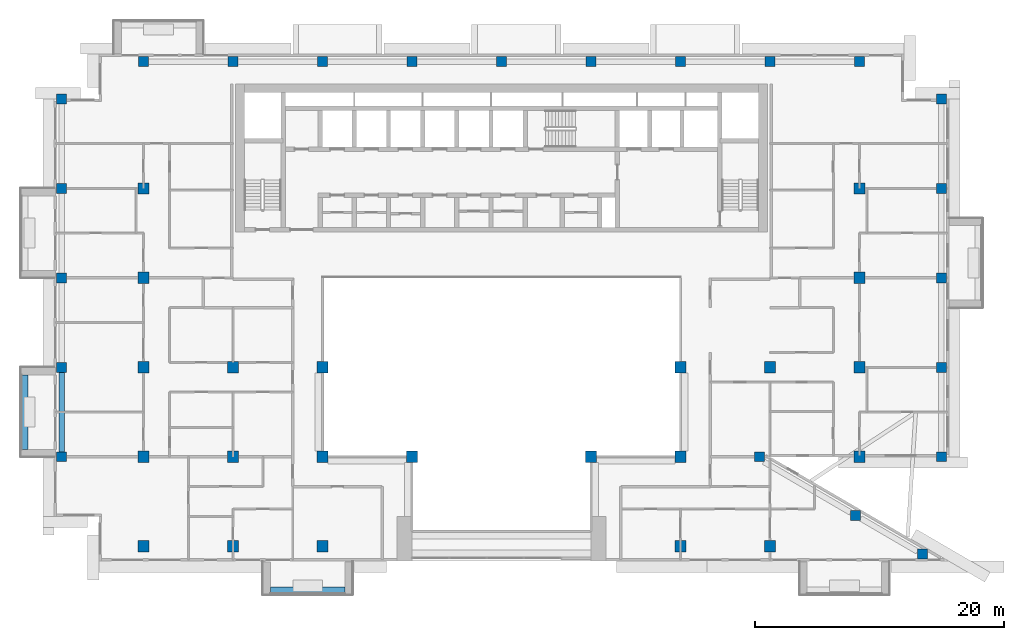
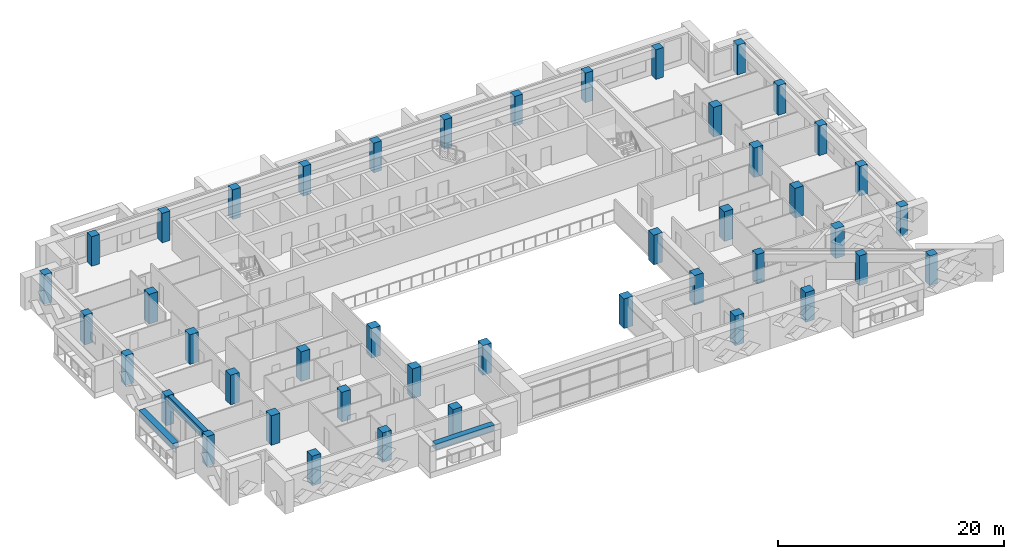
# One storey, part 1 of 20: 44 columns, 3 beams.
"""IFC4 building model written with IfcOpenShell, lengths in metres."""

from ifc_helpers import new_model, si_unit, direction, frame, origin, origin_2d, place, context, subcontext, project, spatial, rectangle, extrude, source, transform, mapped, material, material_profile, profile_set, type_object, element, save


model = new_model("IFC4")

# Units and contexts
model_context = context("Model", 3, precision=1e-05, world=origin(), true_north=direction((0.0, 1.0)))
body_context = subcontext(model_context, "Body", "Model", "MODEL_VIEW")
ifc_project = project(units=[si_unit("LENGTHUNIT", "METRE"), si_unit("AREAUNIT", "SQUARE_METRE"), si_unit("VOLUMEUNIT", "CUBIC_METRE"), si_unit("PLANEANGLEUNIT", "RADIAN"), si_unit("MASSUNIT", "GRAM", prefix="KILO")], contexts=[model_context])

# Site, building, storey
site_placement = place(None, origin())
site = spatial("IfcSite", under=ifc_project, at=site_placement, CompositionType="ELEMENT")
building_placement = place(site_placement, origin())
building = spatial("IfcBuilding", under=site, at=building_placement, Name="Saffron Iwan Residences", CompositionType="ELEMENT")
storey_placement = place(building_placement, frame((0.0, 0.0, 195.5)))
storey = spatial("IfcBuildingStorey", under=building, at=storey_placement, Name="L52", CompositionType="ELEMENT", Elevation=195.5)

# Columns
ifc_material_1 = material(Name="Concrete C50/60", Category="concrete")
ifc_material_profile_1 = material_profile(ifc_material_1, rectangle(XDim=0.89990234375, YDim=0.89990234375, at=origin_2d()), Name="RC 900x900")
ifc_profile_set_1 = profile_set([ifc_material_profile_1], Name="Concrete C50/60")
column_type_1 = type_object("IfcColumnType", Name="COL RC 900x900 C50/60 3200 HIGH", PredefinedType="COLUMN", material=ifc_profile_set_1)
shared_shape_1 = source(origin(), body_context, "Body", "SweptSolid", [
    extrude(rectangle(XDim=0.89990234375, YDim=0.89990234375, at=origin_2d()), origin(), (0.0, 0.0, 1.0), 3.199951171875),
])
for number, where, z_axis, x_axis, name in (
    (1, (21.60009765625, 40.800048828125, 0.0), (0.0, 0.0, 1.0), (1.0, 0.0, 0.0), "Column C049"),
    (2, (28.800048828125, 40.800048828125, 0.0), (0.0, 0.0, 1.0), (1.0, 0.0, 0.0), "Column C051"),
    (3, (36.0, 40.800048828125, 0.0), (0.0, 0.0, 1.0), (1.0, 0.0, 0.0), "Column C052"),
    (4, (64.800048828125, 40.800048828125, 0.0), (0.0, 0.0, 1.0), (1.0, 0.0, 0.0), "Column C055"),
    (5, (72.0, 40.800048828125, 0.0), (0.0, 0.0, 1.0), (1.0, 0.0, 0.0), "Column C056"),
    (6, (21.60009765625, 48.0, 0.0), (0.0, 0.0, 1.0), (1.0, 0.0, 0.0), "Column C063"),
    (7, (28.800048828125, 48.0, 0.0), (0.0, 0.0, 1.0), (1.0, 0.0, 0.0), "Column C064"),
    (8, (36.0, 48.0, 0.0), (0.0, 0.0, 1.0), (1.0, 0.0, 0.0), "Column C065"),
    (9, (43.199951171875, 48.0, 0.0), (0.0, 0.0, 1.0), (1.0, 0.0, 0.0), "Column C066"),
    (10, (57.60009765625, 48.0, 0.0), (0.0, 0.0, 1.0), (1.0, 0.0, 0.0), "Column C068"),
    (11, (64.800048828125, 48.0, 0.0), (0.0, 0.0, 1.0), (1.0, 0.0, 0.0), "Column C069"),
    (12, (79.199951171875, 48.0, 0.0), (0.0, 0.0, 1.0), (1.0, 0.0, 0.0), "Column C072"),
    (13, (21.60009765625, 55.199951171875, 0.0), (0.0, 0.0, 1.0), (1.0, 0.0, 0.0), "Column C079"),
    (14, (28.800048828125, 55.199951171875, 0.0), (0.0, 0.0, 1.0), (1.0, 0.0, 0.0), "Column C080"),
    (15, (36.0, 55.199951171875, 0.0), (0.0, 0.0, 1.0), (1.0, 0.0, 0.0), "Column C081"),
    (16, (64.800048828125, 55.199951171875, 0.0), (0.0, 0.0, 1.0), (1.0, 0.0, 0.0), "Column C082"),
    (17, (72.0, 55.199951171875, 0.0), (0.0, 0.0, 1.0), (1.0, 0.0, 0.0), "Column C083"),
    (18, (79.199951171875, 55.199951171875, 0.0), (0.0, 0.0, 1.0), (1.0, 0.0, 0.0), "Column C084"),
    (19, (21.60009765625, 62.39990234375, 0.0), (0.0, 0.0, 1.0), (1.0, 0.0, 0.0), "Column C091"),
    (20, (79.199951171875, 62.39990234375, 0.0), (0.0, 0.0, 1.0), (1.0, 0.0, 0.0), "Column C092"),
    (21, (21.60009765625, 69.60009765625, 0.0), (0.0, 0.0, 1.0), (1.0, 0.0, 0.0), "Column C099"),
    (22, (79.199951171875, 69.60009765625, 0.0), (0.0, 0.0, 1.0), (1.0, 0.0, 0.0), "Column C100"),
):
    element("IfcColumn", number, at=place(storey_placement, frame(where, z_axis=z_axis, x_axis=x_axis)), inside=storey, type_object=column_type_1, Name=name, PredefinedType="COLUMN", context=body_context, shape_type="MappedRepresentation", body=[
        mapped(shared_shape_1, transform((0.0, 0.0, 0.0))),
    ])
ifc_material_profile_2 = material_profile(ifc_material_1, rectangle(XDim=0.800048828125, YDim=0.800048828125, at=origin_2d()), Name="RC 800x800")
ifc_profile_set_2 = profile_set([ifc_material_profile_2], Name="Concrete C50/60")
column_type_2 = type_object("IfcColumnType", Name="COL RC 800x800 C50/60 3200 HIGH", PredefinedType="COLUMN", material=ifc_profile_set_2)
shared_shape_2 = source(origin(), body_context, "Body", "SweptSolid", [
    extrude(rectangle(XDim=0.800048828125, YDim=0.800048828125, at=origin_2d()), origin(), (0.0, 0.0, 1.0), 3.199951171875),
])
for number, where, z_axis, x_axis, name in (
    (23, (84.276123046875, 40.17431640625, 0.0), (0.0, 0.0, 1.0), (1.0, 0.0, 0.0), "Column C045"),
    (24, (78.897705078125, 43.28173828125, 0.0), (0.0, 0.0, 1.0), (1.0, 0.0, 0.0), "Column C058"),
    (25, (15.0, 48.0, 0.0), (0.0, 0.0, 1.0), (1.0, 0.0, 0.0), "Column C061"),
    (26, (71.14990234375, 48.0, 0.0), (0.0, 0.0, 1.0), (1.0, 0.0, 0.0), "Column C070"),
    (27, (85.800048828125, 48.0, 0.0), (0.0, 0.0, 1.0), (1.0, 0.0, 0.0), "Column C074"),
    (28, (15.0, 55.199951171875, 0.0), (0.0, 0.0, 1.0), (1.0, 0.0, 0.0), "Column C077"),
    (29, (85.800048828125, 55.199951171875, 0.0), (0.0, 0.0, 1.0), (1.0, 0.0, 0.0), "Column C086"),
    (30, (15.0, 62.39990234375, 0.0), (0.0, 0.0, 1.0), (1.0, 0.0, 0.0), "Column C089"),
    (31, (85.800048828125, 62.39990234375, 0.0), (0.0, 0.0, 1.0), (1.0, 0.0, 0.0), "Column C094"),
    (32, (15.0, 69.60009765625, 0.0), (0.0, 0.0, 1.0), (1.0, 0.0, 0.0), "Column C097"),
    (33, (85.800048828125, 69.60009765625, 0.0), (0.0, 0.0, 1.0), (1.0, 0.0, 0.0), "Column C102"),
    (34, (15.0, 76.800048828125, 0.0), (0.0, 0.0, 1.0), (1.0, 0.0, 0.0), "Column C105"),
    (35, (85.800048828125, 76.800048828125, 0.0), (0.0, 0.0, 1.0), (1.0, 0.0, 0.0), "Column C110"),
    (36, (21.60009765625, 79.800048828125, 0.0), (0.0, 0.0, 1.0), (1.0, 0.0, 0.0), "Column C113"),
    (37, (28.800048828125, 79.800048828125, 0.0), (0.0, 0.0, 1.0), (1.0, 0.0, 0.0), "Column C115"),
    (38, (36.0, 79.800048828125, 0.0), (0.0, 0.0, 1.0), (1.0, 0.0, 0.0), "Column C116"),
    (39, (43.199951171875, 79.800048828125, 0.0), (0.0, 0.0, 1.0), (1.0, 0.0, 0.0), "Column C117"),
    (40, (50.39990234375, 79.800048828125, 0.0), (0.0, 0.0, 1.0), (1.0, 0.0, 0.0), "Column C118"),
    (41, (57.60009765625, 79.800048828125, 0.0), (0.0, 0.0, 1.0), (1.0, 0.0, 0.0), "Column C119"),
    (42, (64.800048828125, 79.800048828125, 0.0), (0.0, 0.0, 1.0), (1.0, 0.0, 0.0), "Column C120"),
    (43, (72.0, 79.800048828125, 0.0), (0.0, 0.0, 1.0), (1.0, 0.0, 0.0), "Column C121"),
    (44, (79.199951171875, 79.800048828125, 0.0), (0.0, 0.0, 1.0), (1.0, 0.0, 0.0), "Column C123"),
):
    element("IfcColumn", number, at=place(storey_placement, frame(where, z_axis=z_axis, x_axis=x_axis)), inside=storey, type_object=column_type_2, Name=name, PredefinedType="COLUMN", context=body_context, shape_type="MappedRepresentation", body=[
        mapped(shared_shape_2, transform((0.0, 0.0, 0.0))),
    ])

# Beams
ifc_material_profile_3 = material_profile(ifc_material_1, rectangle(XDim=0.449951171875, YDim=0.89990234375, at=origin_2d()), Name="RC 450x900")
ifc_profile_set_3 = profile_set([ifc_material_profile_3], Name="Concrete C50/60")
beam_type_1 = type_object("IfcBeamType", Name="SPANDREL BEAM RC 450x900 C50/60 TOP 3200", PredefinedType="SPANDREL", material=ifc_profile_set_3)
shared_shape_3 = source(origin(), body_context, "Body", "SweptSolid", [
    extrude(rectangle(XDim=0.449951171875, YDim=0.89990234375, at=origin_2d()), origin(), (0.0, 0.0, 1.0), 6.400146484375),
])
beam_placement = place(storey_placement, frame((15.0, 48.39990234375, 2.75), z_axis=(0.0, 1.0, 0.0), x_axis=(-1.0, 0.0, 0.0)))
element("IfcBeam", 45, at=beam_placement, inside=storey, type_object=beam_type_1, Name="Spandrel beam", PredefinedType="SPANDREL", context=body_context, shape_type="MappedRepresentation", body=[
    mapped(shared_shape_3, transform((0.0, 0.0, 0.0))),
])
ifc_material_2 = material(Name="Concrete C50/60 white painted", Category="concrete")
ifc_material_profile_4 = material_profile(ifc_material_2, rectangle(XDim=0.60009765625, YDim=0.60009765625, at=origin_2d()), Name="BALCONY FASCIA BEAM 600 x 600")
ifc_profile_set_4 = profile_set([ifc_material_profile_4], Name="Concrete C50/60 white painted")
beam_type_2 = type_object("IfcBeamType", Name="BALCONY FASCIA BEAM 600 x 600", PredefinedType="BEAM", material=ifc_profile_set_4)
shared_shape_4 = source(origin(), body_context, "Body", "SweptSolid", [
    extrude(rectangle(XDim=0.60009765625, YDim=0.60009765625, at=origin_2d()), origin(), (0.0, 0.0, 1.0), 6.0),
])
for number, where, z_axis, x_axis, name in (
    (46, (12.0, 54.60009765625, 2.550048828125), (0.0, -1.0, 0.0), (1.0, 0.0, 0.0), "Balcony fascia beam L52 F8-1"),
    (47, (31.800048828125, 37.199951171875, 2.550048828125), (1.0, 0.0, 0.0), (0.0, 1.0, 0.0), "Balcony fascia beam L52 11-0"),
):
    element("IfcBeam", number, at=place(storey_placement, frame(where, z_axis=z_axis, x_axis=x_axis)), inside=storey, type_object=beam_type_2, Name=name, PredefinedType="BEAM", context=body_context, shape_type="MappedRepresentation", body=[
        mapped(shared_shape_4, transform((0.0, 0.0, 0.0))),
    ])

save(model, "model.ifc")
